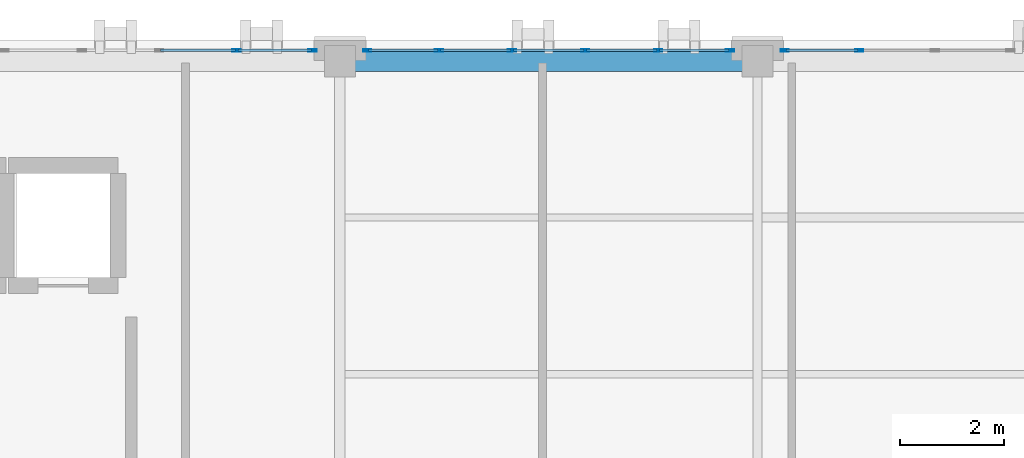
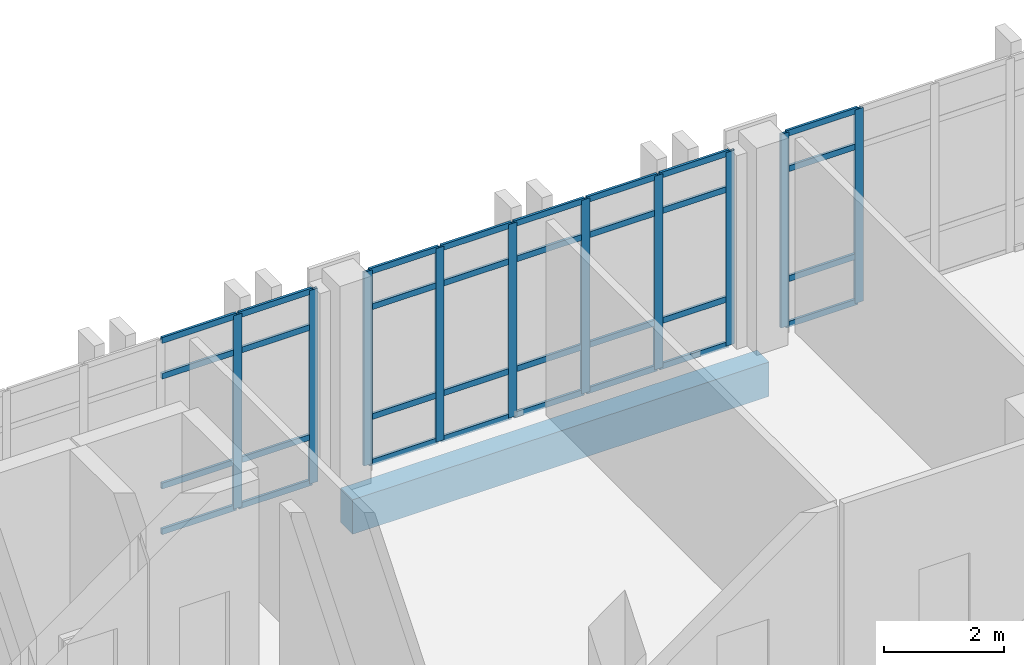
# One storey, part 47 of 90: 42 members, 1 beam, 3 elements without a shape of their own.
"""IFC4 building model written with IfcOpenShell, lengths in metres."""

from ifc_helpers import new_model, si_unit, direction, frame, origin, origin_2d, place, context, subcontext, project, spatial, rectangle, hollow_rectangle, extrude, material, layer, layer_set, material_profile, profile_set, type_object, element, aggregate, save


model = new_model("IFC4")

# Units and contexts
model_context = context("Model", 3, precision=1e-05, world=origin(), true_north=direction((0.0, 1.0)))
body_context = subcontext(model_context, "Body", "Model", "MODEL_VIEW")
ifc_project = project(units=[si_unit("LENGTHUNIT", "METRE"), si_unit("AREAUNIT", "SQUARE_METRE"), si_unit("VOLUMEUNIT", "CUBIC_METRE"), si_unit("PLANEANGLEUNIT", "RADIAN"), si_unit("MASSUNIT", "GRAM", prefix="KILO")], contexts=[model_context])

# Site, building, storey
site_placement = place(None, origin())
site = spatial("IfcSite", under=ifc_project, at=site_placement, CompositionType="ELEMENT")
building_placement = place(site_placement, origin())
building = spatial("IfcBuilding", under=site, at=building_placement, Name="Qalavern Law Courts", CompositionType="ELEMENT")
storey_placement = place(building_placement, frame((0.0, 0.0, 22.800048828125)))
storey = spatial("IfcBuildingStorey", under=building, at=storey_placement, Name="L05", CompositionType="ELEMENT", Elevation=22.800048828125)

# Curtain wall, members
ifc_material_1 = material(Name="Anodised aluminium and insulated glazing", Category="aluminium")
ifc_layer = layer(ifc_material_1, 0.166015625)
ifc_layer_set = layer_set([ifc_layer], Name="Anodised aluminium and insulated glazing")
curtain_wall_type = type_object("IfcCurtainWallType", Name="ENV-CW-LIB", PredefinedType="USERDEFINED", material=ifc_layer_set)
curtain_wall_1_placement = place(storey_placement, origin())
curtain_wall_1 = element("IfcCurtainWall", 1, at=curtain_wall_1_placement, inside=storey, type_object=curtain_wall_type, Name="V5 unitised curtain wall L05 north 2", ObjectType="UNITISED CURTAIN WALL", PredefinedType="USERDEFINED")
ifc_material_2 = material(Name="Anodised aluminium", Category="aluminium")
ifc_material_profile_1 = material_profile(ifc_material_2, hollow_rectangle(XDim=0.048095703125, YDim=0.159912109375, WallThickness=0.00390625, at=origin_2d()), Name="ALU MULLION 48x160")
ifc_profile_set_1 = profile_set([ifc_material_profile_1], Name="Anodised aluminium")
member_type_1 = type_object("IfcMemberType", Name="ENV-CWM-48x160", PredefinedType="MULLION", material=ifc_profile_set_1)
member_1_placement = place(storey_placement, frame((46.75, 112.8076171875, 0.0), z_axis=(0.0, 0.0, 1.0), x_axis=(0.0, -1.0, 0.0)))
member_1 = element("IfcMember", 2, at=member_1_placement, type_object=member_type_1, Name="CW-05 mullion 4", PredefinedType="MULLION", context=body_context, shape_type="SweptSolid", body=[
    extrude(hollow_rectangle(XDim=0.048095703125, YDim=0.159912109375, WallThickness=0.00390625, at=origin_2d()), origin(), (0.0, 0.0, 1.0), 3.929931640625),
])
member_2_placement = place(storey_placement, frame((45.323974609375, 112.8076171875, 0.0), z_axis=(0.0, 0.0, 1.0), x_axis=(0.0, -1.0, 0.0)))
member_2 = element("IfcMember", 3, at=member_2_placement, type_object=member_type_1, Name="CW-05 mullion 5", PredefinedType="MULLION", context=body_context, shape_type="SweptSolid", body=[
    extrude(hollow_rectangle(XDim=0.048095703125, YDim=0.159912109375, WallThickness=0.00390625, at=origin_2d()), origin(), (0.0, 0.0, 1.0), 3.929931640625),
])

curtain_wall_2_placement = place(storey_placement, origin())
curtain_wall_2 = element("IfcCurtainWall", 4, at=curtain_wall_2_placement, inside=storey, type_object=curtain_wall_type, Name="V5 unitised curtain wall L05 north 3", ObjectType="UNITISED CURTAIN WALL", PredefinedType="USERDEFINED")
member_3_placement = place(storey_placement, frame((44.27587890625, 112.8076171875, 0.0), z_axis=(0.0, 0.0, 1.0), x_axis=(0.0, -1.0, 0.0)))
member_3 = element("IfcMember", 5, at=member_3_placement, type_object=member_type_1, Name="CW-05 mullion 1", PredefinedType="MULLION", context=body_context, shape_type="SweptSolid", body=[
    extrude(hollow_rectangle(XDim=0.048095703125, YDim=0.159912109375, WallThickness=0.00390625, at=origin_2d()), origin(), (0.0, 0.0, 1.0), 3.929931640625),
])
member_4_placement = place(storey_placement, frame((42.89990234375, 112.8076171875, 0.0), z_axis=(0.0, 0.0, 1.0), x_axis=(0.0, -1.0, 0.0)))
member_4 = element("IfcMember", 6, at=member_4_placement, type_object=member_type_1, Name="CW-05 mullion 2", PredefinedType="MULLION", context=body_context, shape_type="SweptSolid", body=[
    extrude(hollow_rectangle(XDim=0.048095703125, YDim=0.159912109375, WallThickness=0.00390625, at=origin_2d()), origin(), (0.0, 0.0, 1.0), 3.929931640625),
])
member_5_placement = place(storey_placement, frame((41.5, 112.8076171875, 0.0), z_axis=(0.0, 0.0, 1.0), x_axis=(0.0, -1.0, 0.0)))
member_5 = element("IfcMember", 7, at=member_5_placement, type_object=member_type_1, Name="CW-05 mullion 3", PredefinedType="MULLION", context=body_context, shape_type="SweptSolid", body=[
    extrude(hollow_rectangle(XDim=0.048095703125, YDim=0.159912109375, WallThickness=0.00390625, at=origin_2d()), origin(), (0.0, 0.0, 1.0), 3.929931640625),
])
member_6_placement = place(storey_placement, frame((40.10009765625, 112.8076171875, 0.0), z_axis=(0.0, 0.0, 1.0), x_axis=(0.0, -1.0, 0.0)))
member_6 = element("IfcMember", 8, at=member_6_placement, type_object=member_type_1, Name="CW-05 mullion 4", PredefinedType="MULLION", context=body_context, shape_type="SweptSolid", body=[
    extrude(hollow_rectangle(XDim=0.048095703125, YDim=0.159912109375, WallThickness=0.00390625, at=origin_2d()), origin(), (0.0, 0.0, 1.0), 3.929931640625),
])
member_7_placement = place(storey_placement, frame((38.699951171875, 112.8076171875, 0.0), z_axis=(0.0, 0.0, 1.0), x_axis=(0.0, -1.0, 0.0)))
member_7 = element("IfcMember", 9, at=member_7_placement, type_object=member_type_1, Name="CW-05 mullion 5", PredefinedType="MULLION", context=body_context, shape_type="SweptSolid", body=[
    extrude(hollow_rectangle(XDim=0.048095703125, YDim=0.159912109375, WallThickness=0.00390625, at=origin_2d()), origin(), (0.0, 0.0, 1.0), 3.929931640625),
])
member_8_placement = place(storey_placement, frame((37.323974609375, 112.8076171875, 0.0), z_axis=(0.0, 0.0, 1.0), x_axis=(0.0, -1.0, 0.0)))
member_8 = element("IfcMember", 10, at=member_8_placement, type_object=member_type_1, Name="CW-05 mullion 6", PredefinedType="MULLION", context=body_context, shape_type="SweptSolid", body=[
    extrude(hollow_rectangle(XDim=0.048095703125, YDim=0.159912109375, WallThickness=0.00390625, at=origin_2d()), origin(), (0.0, 0.0, 1.0), 3.929931640625),
])

curtain_wall_3_placement = place(storey_placement, origin())
curtain_wall_3 = element("IfcCurtainWall", 11, at=curtain_wall_3_placement, inside=storey, type_object=curtain_wall_type, Name="V5 unitised curtain wall L05 north 4", ObjectType="UNITISED CURTAIN WALL", PredefinedType="USERDEFINED")
member_9_placement = place(storey_placement, frame((36.27587890625, 112.8076171875, 0.0), z_axis=(0.0, 0.0, 1.0), x_axis=(0.0, -1.0, 0.0)))
member_9 = element("IfcMember", 12, at=member_9_placement, type_object=member_type_1, Name="CW-05 mullion 1", PredefinedType="MULLION", context=body_context, shape_type="SweptSolid", body=[
    extrude(hollow_rectangle(XDim=0.048095703125, YDim=0.159912109375, WallThickness=0.00390625, at=origin_2d()), origin(), (0.0, 0.0, 1.0), 3.929931640625),
])
member_10_placement = place(storey_placement, frame((34.820068359375, 112.8076171875, 0.0), z_axis=(0.0, 0.0, 1.0), x_axis=(0.0, -1.0, 0.0)))
member_10 = element("IfcMember", 13, at=member_10_placement, type_object=member_type_1, Name="CW-05 mullion 2", PredefinedType="MULLION", context=body_context, shape_type="SweptSolid", body=[
    extrude(hollow_rectangle(XDim=0.048095703125, YDim=0.159912109375, WallThickness=0.00390625, at=origin_2d()), origin(), (0.0, 0.0, 1.0), 3.929931640625),
])

# Member
ifc_material_profile_2 = material_profile(ifc_material_2, hollow_rectangle(XDim=0.048095703125, YDim=0.1201171875, WallThickness=0.00390625, at=origin_2d()), Name="ALU TRANSOM 48x120")
ifc_profile_set_2 = profile_set([ifc_material_profile_2], Name="Anodised aluminium")
member_type_2 = type_object("IfcMemberType", Name="ENV-CWT-48x120", PredefinedType="USERDEFINED", material=ifc_profile_set_2)
member_11_placement = place(storey_placement, frame((46.72607421875, 112.8076171875, 0.02392578125), z_axis=(-1.0, 0.0, 0.0), x_axis=(0.0, -1.0, 0.0)))
member_11 = element("IfcMember", 14, at=member_11_placement, type_object=member_type_2, Name="CW-05 transom 4.1", ObjectType="TRANSOM", PredefinedType="USERDEFINED", context=body_context, shape_type="SweptSolid", body=[
    extrude(hollow_rectangle(XDim=0.048095703125, YDim=0.1201171875, WallThickness=0.00390625, at=origin_2d()), origin(), (0.0, 0.0, 1.0), 1.378173828125),
])

member_12_placement = place(storey_placement, frame((46.72607421875, 112.8076171875, 0.949951171875), z_axis=(-1.0, 0.0, 0.0), x_axis=(0.0, -1.0, 0.0)))
member_12 = element("IfcMember", 15, at=member_12_placement, type_object=member_type_2, Name="CW-05 transom 4.2", ObjectType="TRANSOM", PredefinedType="USERDEFINED", context=body_context, shape_type="SweptSolid", body=[
    extrude(hollow_rectangle(XDim=0.048095703125, YDim=0.1201171875, WallThickness=0.00390625, at=origin_2d()), origin(), (0.0, 0.0, 1.0), 1.378173828125),
])

member_13_placement = place(storey_placement, frame((46.72607421875, 112.8076171875, 3.179931640625), z_axis=(-1.0, 0.0, 0.0), x_axis=(0.0, -1.0, 0.0)))
member_13 = element("IfcMember", 16, at=member_13_placement, type_object=member_type_2, Name="CW-05 transom 4.3", ObjectType="TRANSOM", PredefinedType="USERDEFINED", context=body_context, shape_type="SweptSolid", body=[
    extrude(hollow_rectangle(XDim=0.048095703125, YDim=0.1201171875, WallThickness=0.00390625, at=origin_2d()), origin(), (0.0, 0.0, 1.0), 1.378173828125),
])

member_14_placement = place(storey_placement, frame((46.72607421875, 112.8076171875, 3.906005859375), z_axis=(-1.0, 0.0, 0.0), x_axis=(0.0, -1.0, 0.0)))
member_14 = element("IfcMember", 17, at=member_14_placement, type_object=member_type_2, Name="CW-05 transom 4.4", ObjectType="TRANSOM", PredefinedType="USERDEFINED", context=body_context, shape_type="SweptSolid", body=[
    extrude(hollow_rectangle(XDim=0.048095703125, YDim=0.1201171875, WallThickness=0.00390625, at=origin_2d()), origin(), (0.0, 0.0, 1.0), 1.378173828125),
])

aggregate(curtain_wall_1, [member_1, member_2, member_11, member_12, member_13, member_14])

member_15_placement = place(storey_placement, frame((44.251953125, 112.8076171875, 0.02392578125), z_axis=(-1.0, 0.0, 0.0), x_axis=(0.0, -1.0, 0.0)))
member_15 = element("IfcMember", 18, at=member_15_placement, type_object=member_type_2, Name="CW-05 transom 1.1", ObjectType="TRANSOM", PredefinedType="USERDEFINED", context=body_context, shape_type="SweptSolid", body=[
    extrude(hollow_rectangle(XDim=0.048095703125, YDim=0.1201171875, WallThickness=0.00390625, at=origin_2d()), origin(), (0.0, 0.0, 1.0), 1.327880859375),
])

member_16_placement = place(storey_placement, frame((44.251953125, 112.8076171875, 0.949951171875), z_axis=(-1.0, 0.0, 0.0), x_axis=(0.0, -1.0, 0.0)))
member_16 = element("IfcMember", 19, at=member_16_placement, type_object=member_type_2, Name="CW-05 transom 1.2", ObjectType="TRANSOM", PredefinedType="USERDEFINED", context=body_context, shape_type="SweptSolid", body=[
    extrude(hollow_rectangle(XDim=0.048095703125, YDim=0.1201171875, WallThickness=0.00390625, at=origin_2d()), origin(), (0.0, 0.0, 1.0), 1.327880859375),
])

member_17_placement = place(storey_placement, frame((44.251953125, 112.8076171875, 3.179931640625), z_axis=(-1.0, 0.0, 0.0), x_axis=(0.0, -1.0, 0.0)))
member_17 = element("IfcMember", 20, at=member_17_placement, type_object=member_type_2, Name="CW-05 transom 1.3", ObjectType="TRANSOM", PredefinedType="USERDEFINED", context=body_context, shape_type="SweptSolid", body=[
    extrude(hollow_rectangle(XDim=0.048095703125, YDim=0.1201171875, WallThickness=0.00390625, at=origin_2d()), origin(), (0.0, 0.0, 1.0), 1.327880859375),
])

member_18_placement = place(storey_placement, frame((44.251953125, 112.8076171875, 3.906005859375), z_axis=(-1.0, 0.0, 0.0), x_axis=(0.0, -1.0, 0.0)))
member_18 = element("IfcMember", 21, at=member_18_placement, type_object=member_type_2, Name="CW-05 transom 1.4", ObjectType="TRANSOM", PredefinedType="USERDEFINED", context=body_context, shape_type="SweptSolid", body=[
    extrude(hollow_rectangle(XDim=0.048095703125, YDim=0.1201171875, WallThickness=0.00390625, at=origin_2d()), origin(), (0.0, 0.0, 1.0), 1.327880859375),
])

member_19_placement = place(storey_placement, frame((42.8759765625, 112.8076171875, 0.02392578125), z_axis=(-1.0, 0.0, 0.0), x_axis=(0.0, -1.0, 0.0)))
member_19 = element("IfcMember", 22, at=member_19_placement, type_object=member_type_2, Name="CW-05 transom 2.1", ObjectType="TRANSOM", PredefinedType="USERDEFINED", context=body_context, shape_type="SweptSolid", body=[
    extrude(hollow_rectangle(XDim=0.048095703125, YDim=0.1201171875, WallThickness=0.00390625, at=origin_2d()), origin(), (0.0, 0.0, 1.0), 1.35205078125),
])

member_20_placement = place(storey_placement, frame((42.8759765625, 112.8076171875, 0.949951171875), z_axis=(-1.0, 0.0, 0.0), x_axis=(0.0, -1.0, 0.0)))
member_20 = element("IfcMember", 23, at=member_20_placement, type_object=member_type_2, Name="CW-05 transom 2.2", ObjectType="TRANSOM", PredefinedType="USERDEFINED", context=body_context, shape_type="SweptSolid", body=[
    extrude(hollow_rectangle(XDim=0.048095703125, YDim=0.1201171875, WallThickness=0.00390625, at=origin_2d()), origin(), (0.0, 0.0, 1.0), 1.35205078125),
])

member_21_placement = place(storey_placement, frame((42.8759765625, 112.8076171875, 3.179931640625), z_axis=(-1.0, 0.0, 0.0), x_axis=(0.0, -1.0, 0.0)))
member_21 = element("IfcMember", 24, at=member_21_placement, type_object=member_type_2, Name="CW-05 transom 2.3", ObjectType="TRANSOM", PredefinedType="USERDEFINED", context=body_context, shape_type="SweptSolid", body=[
    extrude(hollow_rectangle(XDim=0.048095703125, YDim=0.1201171875, WallThickness=0.00390625, at=origin_2d()), origin(), (0.0, 0.0, 1.0), 1.35205078125),
])

member_22_placement = place(storey_placement, frame((42.8759765625, 112.8076171875, 3.906005859375), z_axis=(-1.0, 0.0, 0.0), x_axis=(0.0, -1.0, 0.0)))
member_22 = element("IfcMember", 25, at=member_22_placement, type_object=member_type_2, Name="CW-05 transom 2.4", ObjectType="TRANSOM", PredefinedType="USERDEFINED", context=body_context, shape_type="SweptSolid", body=[
    extrude(hollow_rectangle(XDim=0.048095703125, YDim=0.1201171875, WallThickness=0.00390625, at=origin_2d()), origin(), (0.0, 0.0, 1.0), 1.35205078125),
])

member_23_placement = place(storey_placement, frame((41.47607421875, 112.8076171875, 0.02392578125), z_axis=(-1.0, 0.0, 0.0), x_axis=(0.0, -1.0, 0.0)))
member_23 = element("IfcMember", 26, at=member_23_placement, type_object=member_type_2, Name="CW-05 transom 3.1", ObjectType="TRANSOM", PredefinedType="USERDEFINED", context=body_context, shape_type="SweptSolid", body=[
    extrude(hollow_rectangle(XDim=0.048095703125, YDim=0.1201171875, WallThickness=0.00390625, at=origin_2d()), origin(), (0.0, 0.0, 1.0), 1.35205078125),
])

member_24_placement = place(storey_placement, frame((41.47607421875, 112.8076171875, 0.949951171875), z_axis=(-1.0, 0.0, 0.0), x_axis=(0.0, -1.0, 0.0)))
member_24 = element("IfcMember", 27, at=member_24_placement, type_object=member_type_2, Name="CW-05 transom 3.2", ObjectType="TRANSOM", PredefinedType="USERDEFINED", context=body_context, shape_type="SweptSolid", body=[
    extrude(hollow_rectangle(XDim=0.048095703125, YDim=0.1201171875, WallThickness=0.00390625, at=origin_2d()), origin(), (0.0, 0.0, 1.0), 1.35205078125),
])

member_25_placement = place(storey_placement, frame((41.47607421875, 112.8076171875, 3.179931640625), z_axis=(-1.0, 0.0, 0.0), x_axis=(0.0, -1.0, 0.0)))
member_25 = element("IfcMember", 28, at=member_25_placement, type_object=member_type_2, Name="CW-05 transom 3.3", ObjectType="TRANSOM", PredefinedType="USERDEFINED", context=body_context, shape_type="SweptSolid", body=[
    extrude(hollow_rectangle(XDim=0.048095703125, YDim=0.1201171875, WallThickness=0.00390625, at=origin_2d()), origin(), (0.0, 0.0, 1.0), 1.35205078125),
])

member_26_placement = place(storey_placement, frame((41.47607421875, 112.8076171875, 3.906005859375), z_axis=(-1.0, 0.0, 0.0), x_axis=(0.0, -1.0, 0.0)))
member_26 = element("IfcMember", 29, at=member_26_placement, type_object=member_type_2, Name="CW-05 transom 3.4", ObjectType="TRANSOM", PredefinedType="USERDEFINED", context=body_context, shape_type="SweptSolid", body=[
    extrude(hollow_rectangle(XDim=0.048095703125, YDim=0.1201171875, WallThickness=0.00390625, at=origin_2d()), origin(), (0.0, 0.0, 1.0), 1.35205078125),
])

member_27_placement = place(storey_placement, frame((40.075927734375, 112.8076171875, 0.02392578125), z_axis=(-1.0, 0.0, 0.0), x_axis=(0.0, -1.0, 0.0)))
member_27 = element("IfcMember", 30, at=member_27_placement, type_object=member_type_2, Name="CW-05 transom 4.1", ObjectType="TRANSOM", PredefinedType="USERDEFINED", context=body_context, shape_type="SweptSolid", body=[
    extrude(hollow_rectangle(XDim=0.048095703125, YDim=0.1201171875, WallThickness=0.00390625, at=origin_2d()), origin(), (0.0, 0.0, 1.0), 1.351806640625),
])

member_28_placement = place(storey_placement, frame((40.075927734375, 112.8076171875, 0.949951171875), z_axis=(-1.0, 0.0, 0.0), x_axis=(0.0, -1.0, 0.0)))
member_28 = element("IfcMember", 31, at=member_28_placement, type_object=member_type_2, Name="CW-05 transom 4.2", ObjectType="TRANSOM", PredefinedType="USERDEFINED", context=body_context, shape_type="SweptSolid", body=[
    extrude(hollow_rectangle(XDim=0.048095703125, YDim=0.1201171875, WallThickness=0.00390625, at=origin_2d()), origin(), (0.0, 0.0, 1.0), 1.351806640625),
])

member_29_placement = place(storey_placement, frame((40.075927734375, 112.8076171875, 3.179931640625), z_axis=(-1.0, 0.0, 0.0), x_axis=(0.0, -1.0, 0.0)))
member_29 = element("IfcMember", 32, at=member_29_placement, type_object=member_type_2, Name="CW-05 transom 4.3", ObjectType="TRANSOM", PredefinedType="USERDEFINED", context=body_context, shape_type="SweptSolid", body=[
    extrude(hollow_rectangle(XDim=0.048095703125, YDim=0.1201171875, WallThickness=0.00390625, at=origin_2d()), origin(), (0.0, 0.0, 1.0), 1.351806640625),
])

member_30_placement = place(storey_placement, frame((40.075927734375, 112.8076171875, 3.906005859375), z_axis=(-1.0, 0.0, 0.0), x_axis=(0.0, -1.0, 0.0)))
member_30 = element("IfcMember", 33, at=member_30_placement, type_object=member_type_2, Name="CW-05 transom 4.4", ObjectType="TRANSOM", PredefinedType="USERDEFINED", context=body_context, shape_type="SweptSolid", body=[
    extrude(hollow_rectangle(XDim=0.048095703125, YDim=0.1201171875, WallThickness=0.00390625, at=origin_2d()), origin(), (0.0, 0.0, 1.0), 1.351806640625),
])

member_31_placement = place(storey_placement, frame((38.676025390625, 112.8076171875, 0.02392578125), z_axis=(-1.0, 0.0, 0.0), x_axis=(0.0, -1.0, 0.0)))
member_31 = element("IfcMember", 34, at=member_31_placement, type_object=member_type_2, Name="CW-05 transom 5.1", ObjectType="TRANSOM", PredefinedType="USERDEFINED", context=body_context, shape_type="SweptSolid", body=[
    extrude(hollow_rectangle(XDim=0.048095703125, YDim=0.1201171875, WallThickness=0.00390625, at=origin_2d()), origin(), (0.0, 0.0, 1.0), 1.328125),
])

member_32_placement = place(storey_placement, frame((38.676025390625, 112.8076171875, 0.949951171875), z_axis=(-1.0, 0.0, 0.0), x_axis=(0.0, -1.0, 0.0)))
member_32 = element("IfcMember", 35, at=member_32_placement, type_object=member_type_2, Name="CW-05 transom 5.2", ObjectType="TRANSOM", PredefinedType="USERDEFINED", context=body_context, shape_type="SweptSolid", body=[
    extrude(hollow_rectangle(XDim=0.048095703125, YDim=0.1201171875, WallThickness=0.00390625, at=origin_2d()), origin(), (0.0, 0.0, 1.0), 1.328125),
])

member_33_placement = place(storey_placement, frame((38.676025390625, 112.8076171875, 3.179931640625), z_axis=(-1.0, 0.0, 0.0), x_axis=(0.0, -1.0, 0.0)))
member_33 = element("IfcMember", 36, at=member_33_placement, type_object=member_type_2, Name="CW-05 transom 5.3", ObjectType="TRANSOM", PredefinedType="USERDEFINED", context=body_context, shape_type="SweptSolid", body=[
    extrude(hollow_rectangle(XDim=0.048095703125, YDim=0.1201171875, WallThickness=0.00390625, at=origin_2d()), origin(), (0.0, 0.0, 1.0), 1.328125),
])

member_34_placement = place(storey_placement, frame((38.676025390625, 112.8076171875, 3.906005859375), z_axis=(-1.0, 0.0, 0.0), x_axis=(0.0, -1.0, 0.0)))
member_34 = element("IfcMember", 37, at=member_34_placement, type_object=member_type_2, Name="CW-05 transom 5.4", ObjectType="TRANSOM", PredefinedType="USERDEFINED", context=body_context, shape_type="SweptSolid", body=[
    extrude(hollow_rectangle(XDim=0.048095703125, YDim=0.1201171875, WallThickness=0.00390625, at=origin_2d()), origin(), (0.0, 0.0, 1.0), 1.328125),
])

aggregate(curtain_wall_2, [member_3, member_4, member_5, member_6, member_7, member_8, member_15, member_16, member_17, member_18, member_19, member_20, member_21, member_22, member_23, member_24, member_25, member_26, member_27, member_28, member_29, member_30, member_31, member_32, member_33, member_34])

member_35_placement = place(storey_placement, frame((36.251953125, 112.8076171875, 0.02392578125), z_axis=(-1.0, 0.0, 0.0), x_axis=(0.0, -1.0, 0.0)))
member_35 = element("IfcMember", 38, at=member_35_placement, type_object=member_type_2, Name="CW-05 transom 1.1", ObjectType="TRANSOM", PredefinedType="USERDEFINED", context=body_context, shape_type="SweptSolid", body=[
    extrude(hollow_rectangle(XDim=0.048095703125, YDim=0.1201171875, WallThickness=0.00390625, at=origin_2d()), origin(), (0.0, 0.0, 1.0), 1.407958984375),
])

member_36_placement = place(storey_placement, frame((36.251953125, 112.8076171875, 0.949951171875), z_axis=(-1.0, 0.0, 0.0), x_axis=(0.0, -1.0, 0.0)))
member_36 = element("IfcMember", 39, at=member_36_placement, type_object=member_type_2, Name="CW-05 transom 1.2", ObjectType="TRANSOM", PredefinedType="USERDEFINED", context=body_context, shape_type="SweptSolid", body=[
    extrude(hollow_rectangle(XDim=0.048095703125, YDim=0.1201171875, WallThickness=0.00390625, at=origin_2d()), origin(), (0.0, 0.0, 1.0), 1.407958984375),
])

member_37_placement = place(storey_placement, frame((36.251953125, 112.8076171875, 3.179931640625), z_axis=(-1.0, 0.0, 0.0), x_axis=(0.0, -1.0, 0.0)))
member_37 = element("IfcMember", 40, at=member_37_placement, type_object=member_type_2, Name="CW-05 transom 1.3", ObjectType="TRANSOM", PredefinedType="USERDEFINED", context=body_context, shape_type="SweptSolid", body=[
    extrude(hollow_rectangle(XDim=0.048095703125, YDim=0.1201171875, WallThickness=0.00390625, at=origin_2d()), origin(), (0.0, 0.0, 1.0), 1.407958984375),
])

member_38_placement = place(storey_placement, frame((36.251953125, 112.8076171875, 3.906005859375), z_axis=(-1.0, 0.0, 0.0), x_axis=(0.0, -1.0, 0.0)))
member_38 = element("IfcMember", 41, at=member_38_placement, type_object=member_type_2, Name="CW-05 transom 1.4", ObjectType="TRANSOM", PredefinedType="USERDEFINED", context=body_context, shape_type="SweptSolid", body=[
    extrude(hollow_rectangle(XDim=0.048095703125, YDim=0.1201171875, WallThickness=0.00390625, at=origin_2d()), origin(), (0.0, 0.0, 1.0), 1.407958984375),
])

member_39_placement = place(storey_placement, frame((34.7958984375, 112.8076171875, 0.02392578125), z_axis=(-1.0, 0.0, 0.0), x_axis=(0.0, -1.0, 0.0)))
member_39 = element("IfcMember", 42, at=member_39_placement, type_object=member_type_2, Name="CW-05 transom 2.1", ObjectType="TRANSOM", PredefinedType="USERDEFINED", context=body_context, shape_type="SweptSolid", body=[
    extrude(hollow_rectangle(XDim=0.048095703125, YDim=0.1201171875, WallThickness=0.00390625, at=origin_2d()), origin(), (0.0, 0.0, 1.0), 1.431884765625),
])

member_40_placement = place(storey_placement, frame((34.7958984375, 112.8076171875, 0.949951171875), z_axis=(-1.0, 0.0, 0.0), x_axis=(0.0, -1.0, 0.0)))
member_40 = element("IfcMember", 43, at=member_40_placement, type_object=member_type_2, Name="CW-05 transom 2.2", ObjectType="TRANSOM", PredefinedType="USERDEFINED", context=body_context, shape_type="SweptSolid", body=[
    extrude(hollow_rectangle(XDim=0.048095703125, YDim=0.1201171875, WallThickness=0.00390625, at=origin_2d()), origin(), (0.0, 0.0, 1.0), 1.431884765625),
])

member_41_placement = place(storey_placement, frame((34.7958984375, 112.8076171875, 3.179931640625), z_axis=(-1.0, 0.0, 0.0), x_axis=(0.0, -1.0, 0.0)))
member_41 = element("IfcMember", 44, at=member_41_placement, type_object=member_type_2, Name="CW-05 transom 2.3", ObjectType="TRANSOM", PredefinedType="USERDEFINED", context=body_context, shape_type="SweptSolid", body=[
    extrude(hollow_rectangle(XDim=0.048095703125, YDim=0.1201171875, WallThickness=0.00390625, at=origin_2d()), origin(), (0.0, 0.0, 1.0), 1.431884765625),
])

member_42_placement = place(storey_placement, frame((34.7958984375, 112.8076171875, 3.906005859375), z_axis=(-1.0, 0.0, 0.0), x_axis=(0.0, -1.0, 0.0)))
member_42 = element("IfcMember", 45, at=member_42_placement, type_object=member_type_2, Name="CW-05 transom 2.4", ObjectType="TRANSOM", PredefinedType="USERDEFINED", context=body_context, shape_type="SweptSolid", body=[
    extrude(hollow_rectangle(XDim=0.048095703125, YDim=0.1201171875, WallThickness=0.00390625, at=origin_2d()), origin(), (0.0, 0.0, 1.0), 1.431884765625),
])

aggregate(curtain_wall_3, [member_9, member_10, member_35, member_36, member_37, member_38, member_39, member_40, member_41, member_42])

# Beam
ifc_material_3 = material(Name="Concrete C40/50", Category="concrete")
ifc_material_profile_3 = material_profile(ifc_material_3, rectangle(XDim=0.39990234375, YDim=0.699951171875, at=origin_2d()), Name="RC 400x700")
ifc_profile_set_3 = profile_set([ifc_material_profile_3], Name="Concrete C40/50")
beam_type = type_object("IfcBeamType", Name="STR-SP-RC400x700", PredefinedType="SPANDREL", material=ifc_profile_set_3)
beam_placement = place(storey_placement, frame((36.800048828125, 112.60009765625, -0.64599609375), z_axis=(1.0, 0.0, 0.0), x_axis=(0.0, 1.0, 0.0)))
element("IfcBeam", 46, at=beam_placement, inside=storey, type_object=beam_type, Name="V5 X-beam 3-2 L05", PredefinedType="SPANDREL", context=body_context, shape_type="SweptSolid", body=[
    extrude(rectangle(XDim=0.39990234375, YDim=0.699951171875, at=origin_2d()), origin(), (0.0, 0.0, 1.0), 8.0),
])

save(model, "model.ifc")
